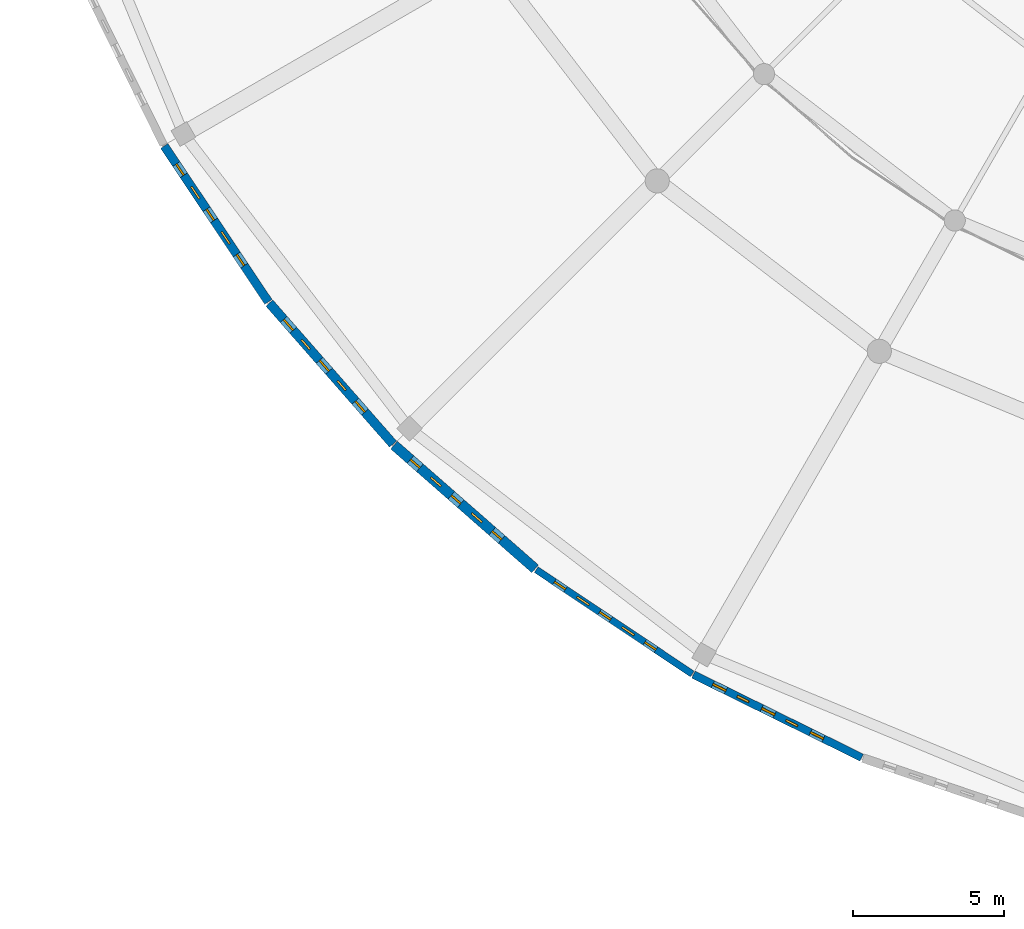
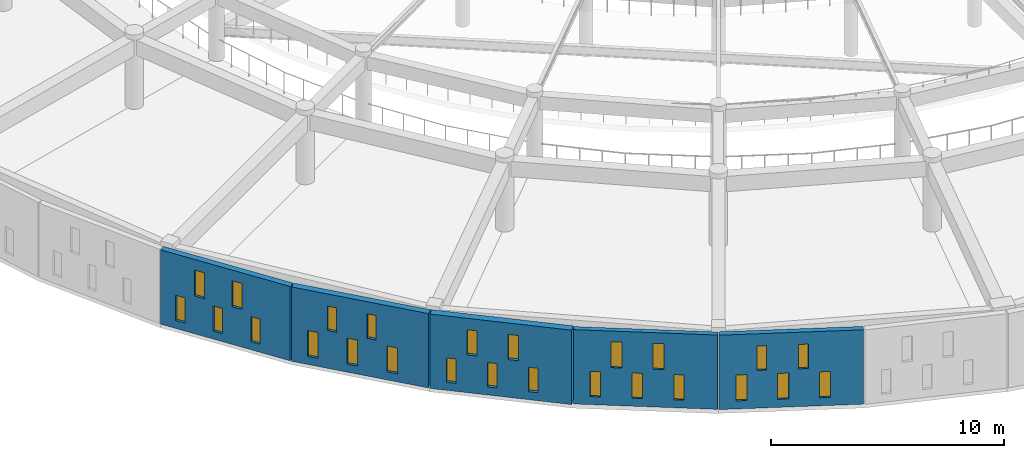
# One storey, part 53 of 98: 25 windows, 5 walls, 25 openings.
"""IFC4 building model written with IfcOpenShell, lengths in metres."""

from ifc_helpers import new_model, si_unit, direction, frame, frame_2d, origin, place, context, subcontext, project, spatial, rectangle, extrude, material, layer, layer_set, type_object, element, fill, save


model = new_model("IFC4")

# Units and contexts
model_context = context("Model", 3, precision=1e-05, world=origin(), true_north=direction((0.0, 1.0)))
body_context = subcontext(model_context, "Body", "Model", "MODEL_VIEW")
ifc_project = project(units=[si_unit("LENGTHUNIT", "METRE"), si_unit("AREAUNIT", "SQUARE_METRE"), si_unit("VOLUMEUNIT", "CUBIC_METRE"), si_unit("PLANEANGLEUNIT", "RADIAN"), si_unit("MASSUNIT", "GRAM", prefix="KILO")], contexts=[model_context])

# Site, building, storey
site_placement = place(None, origin())
site = spatial("IfcSite", under=ifc_project, at=site_placement, CompositionType="ELEMENT")
building_placement = place(site_placement, origin())
building = spatial("IfcBuilding", under=site, at=building_placement, Name="Larkveld Mobility Hub", CompositionType="ELEMENT")
storey_placement = place(building_placement, frame((0.0, 0.0, 4.5)))
storey = spatial("IfcBuildingStorey", under=building, at=storey_placement, Name="L01", CompositionType="ELEMENT", Elevation=4.5)

# Wall, openings, windows
ifc_material_1 = material(Name="Fired clay brick 25 MPa", Category="masonry")
ifc_layer_1 = layer(ifc_material_1, 0.22998046875, Name="Fired clay brick 25 MPa", Category="masonry")
ifc_layer_set_1 = layer_set([ifc_layer_1], Name="Fired clay brick 25 MPa")
wall_type_1 = type_object("IfcWallType", Name="WL-BRK-230", PredefinedType="USERDEFINED", material=ifc_layer_set_1)
wall_1_placement = place(storey_placement, frame((18.89111328125, 10.02490234375, 0.0), z_axis=(0.0, 0.0, 1.0), x_axis=(0.831426871608, -0.555634193664, 0.0)))
wall_1 = element("IfcWall", 1, at=wall_1_placement, inside=storey, type_object=wall_type_1, Name="Drum Woven Open-Bond Brick Chord L01-0076", ObjectType="PERFORATED BRICK SCREEN", PredefinedType="USERDEFINED", context=body_context, shape_type="SweptSolid", body=[
    extrude(rectangle(XDim=6.210693359375, YDim=0.22998046875, at=frame_2d((3.10546875, 0.0))), origin(), (0.0, 0.0, 1.0), 3.89990234375),
])
opening_1_placement = place(wall_1_placement, frame((0.719970703125, 0.0, 0.419921875)))
opening_1 = element("IfcOpeningElement", 2, at=opening_1_placement, cuts=wall_1, Name="Opening W02", PredefinedType="OPENING", context=body_context, shape_type="SweptSolid", body=[
    extrude(rectangle(XDim=0.449951171875, YDim=1.320068359375, at=frame_2d((0.22509765625, 0.66015625))), frame((0.0, 0.125, 0.0), z_axis=(0.0, -1.0, 0.0), x_axis=(1.0, 0.0, 0.0)), (0.0, 0.0, 1.0), 0.25),
])
opening_2_placement = place(wall_1_placement, frame((2.52001953125, 0.0, 0.419921875)))
opening_2 = element("IfcOpeningElement", 3, at=opening_2_placement, cuts=wall_1, Name="Opening W02", PredefinedType="OPENING", context=body_context, shape_type="SweptSolid", body=[
    extrude(rectangle(XDim=0.449951171875, YDim=1.320068359375, at=frame_2d((0.22509765625, 0.66015625))), frame((0.0, 0.125, 0.0), z_axis=(0.0, -1.0, 0.0), x_axis=(1.0, 0.0, 0.0)), (0.0, 0.0, 1.0), 0.25),
])
opening_3_placement = place(wall_1_placement, frame((4.320068359375, 0.0, 0.419921875)))
opening_3 = element("IfcOpeningElement", 4, at=opening_3_placement, cuts=wall_1, Name="Opening W02", PredefinedType="OPENING", context=body_context, shape_type="SweptSolid", body=[
    extrude(rectangle(XDim=0.449951171875, YDim=1.320068359375, at=frame_2d((0.22509765625, 0.66015625))), frame((0.0, 0.125, 0.0), z_axis=(0.0, -1.0, 0.0), x_axis=(1.0, 0.0, 0.0)), (0.0, 0.0, 1.0), 0.25),
])
opening_4_placement = place(wall_1_placement, frame((1.6201171875, 0.0, 1.97998046875)))
opening_4 = element("IfcOpeningElement", 5, at=opening_4_placement, cuts=wall_1, Name="Opening W03", PredefinedType="OPENING", context=body_context, shape_type="SweptSolid", body=[
    extrude(rectangle(XDim=0.47998046875, YDim=1.360107421875, at=frame_2d((0.239990234375, 0.68017578125))), frame((0.0, 0.125, 0.0), z_axis=(0.0, -1.0, 0.0), x_axis=(1.0, 0.0, 0.0)), (0.0, 0.0, 1.0), 0.25),
])
opening_5_placement = place(wall_1_placement, frame((3.419921875, 0.0, 1.97998046875)))
opening_5 = element("IfcOpeningElement", 6, at=opening_5_placement, cuts=wall_1, Name="Opening W03", PredefinedType="OPENING", context=body_context, shape_type="SweptSolid", body=[
    extrude(rectangle(XDim=0.47998046875, YDim=1.360107421875, at=frame_2d((0.239990234375, 0.68017578125))), frame((0.0, 0.125, 0.0), z_axis=(0.0, -1.0, 0.0), x_axis=(1.0, 0.0, 0.0)), (0.0, 0.0, 1.0), 0.25),
])
ifc_material_2 = material(Name="Extruded aluminium ventilation grille", Category="aluminium")
window_type_1 = type_object("IfcWindowType", Name="WN-VENT-02", PartitioningType="SINGLE_PANEL", PredefinedType="WINDOW", material=ifc_material_2)
window_1_placement = place(opening_1_placement, origin())
window_1 = element("IfcWindow", 7, at=window_1_placement, inside=storey, type_object=window_type_1, Name="Window W02 (0366)", OverallHeight=1.320068359375, OverallWidth=0.449951171875, PartitioningType="SINGLE_PANEL", PredefinedType="WINDOW", context=body_context, shape_type="SweptSolid", body=[
    extrude(rectangle(XDim=0.449951171875, YDim=1.320068359375, at=frame_2d((0.22509765625, 0.66015625))), frame((0.0, 0.030029296875, 0.0), z_axis=(0.0, -1.0, 0.0), x_axis=(1.0, 0.0, 0.0)), (0.0, 0.0, 1.0), 0.06005859375),
])
fill(opening_1, window_1)
window_2_placement = place(opening_2_placement, origin())
window_2 = element("IfcWindow", 8, at=window_2_placement, inside=storey, type_object=window_type_1, Name="Window W02 (0367)", OverallHeight=1.320068359375, OverallWidth=0.449951171875, PartitioningType="SINGLE_PANEL", PredefinedType="WINDOW", context=body_context, shape_type="SweptSolid", body=[
    extrude(rectangle(XDim=0.449951171875, YDim=1.320068359375, at=frame_2d((0.22509765625, 0.66015625))), frame((0.0, 0.030029296875, 0.0), z_axis=(0.0, -1.0, 0.0), x_axis=(1.0, 0.0, 0.0)), (0.0, 0.0, 1.0), 0.06005859375),
])
fill(opening_2, window_2)
window_3_placement = place(opening_3_placement, origin())
window_3 = element("IfcWindow", 9, at=window_3_placement, inside=storey, type_object=window_type_1, Name="Window W02 (0368)", OverallHeight=1.320068359375, OverallWidth=0.449951171875, PartitioningType="SINGLE_PANEL", PredefinedType="WINDOW", context=body_context, shape_type="SweptSolid", body=[
    extrude(rectangle(XDim=0.449951171875, YDim=1.320068359375, at=frame_2d((0.22509765625, 0.66015625))), frame((0.0, 0.030029296875, 0.0), z_axis=(0.0, -1.0, 0.0), x_axis=(1.0, 0.0, 0.0)), (0.0, 0.0, 1.0), 0.06005859375),
])
fill(opening_3, window_3)
window_type_2 = type_object("IfcWindowType", Name="WN-VENT-03", PartitioningType="SINGLE_PANEL", PredefinedType="WINDOW", material=ifc_material_2)
window_4_placement = place(opening_4_placement, origin())
window_4 = element("IfcWindow", 10, at=window_4_placement, inside=storey, type_object=window_type_2, Name="Window W03 (0369)", OverallHeight=1.360107421875, OverallWidth=0.47998046875, PartitioningType="SINGLE_PANEL", PredefinedType="WINDOW", context=body_context, shape_type="SweptSolid", body=[
    extrude(rectangle(XDim=0.47998046875, YDim=1.360107421875, at=frame_2d((0.239990234375, 0.68017578125))), frame((0.0, 0.030029296875, 0.0), z_axis=(0.0, -1.0, 0.0), x_axis=(1.0, 0.0, 0.0)), (0.0, 0.0, 1.0), 0.06005859375),
])
fill(opening_4, window_4)
window_5_placement = place(opening_5_placement, origin())
window_5 = element("IfcWindow", 11, at=window_5_placement, inside=storey, type_object=window_type_2, Name="Window W03 (0370)", OverallHeight=1.360107421875, OverallWidth=0.47998046875, PartitioningType="SINGLE_PANEL", PredefinedType="WINDOW", context=body_context, shape_type="SweptSolid", body=[
    extrude(rectangle(XDim=0.47998046875, YDim=1.360107421875, at=frame_2d((0.239990234375, 0.68017578125))), frame((0.0, 0.030029296875, 0.0), z_axis=(0.0, -1.0, 0.0), x_axis=(1.0, 0.0, 0.0)), (0.0, 0.0, 1.0), 0.06005859375),
])
fill(opening_5, window_5)

ifc_layer_2 = layer(ifc_material_1, 0.260009765625, Name="Fired clay brick 25 MPa", Category="masonry")
ifc_layer_set_2 = layer_set([ifc_layer_2], Name="Fired clay brick 25 MPa")
wall_type_2 = type_object("IfcWallType", Name="WL-BRK-260", PredefinedType="USERDEFINED", material=ifc_layer_set_2)
wall_2_placement = place(storey_placement, frame((24.096923828125, 6.550048828125, 0.0), z_axis=(0.0, 0.0, 1.0), x_axis=(0.896858908126, -0.442316740488, 0.0)))
wall_2 = element("IfcWall", 12, at=wall_2_placement, inside=storey, type_object=wall_type_2, Name="Drum Woven Open-Bond Brick Chord L01-0077", ObjectType="PERFORATED BRICK SCREEN", PredefinedType="USERDEFINED", context=body_context, shape_type="SweptSolid", body=[
    extrude(rectangle(XDim=6.210693359375, YDim=0.260009765625, at=frame_2d((3.10546875, 0.0))), origin(), (0.0, 0.0, 1.0), 3.89990234375),
])
opening_6_placement = place(wall_2_placement, frame((0.719970703125, 0.0, 0.419921875)))
opening_6 = element("IfcOpeningElement", 13, at=opening_6_placement, cuts=wall_2, Name="Opening W03", PredefinedType="OPENING", context=body_context, shape_type="SweptSolid", body=[
    extrude(rectangle(XDim=0.47998046875, YDim=1.360107421875, at=frame_2d((0.239990234375, 0.68017578125))), frame((0.0, 0.14013671875, 0.0), z_axis=(0.0, -1.0, 0.0), x_axis=(1.0, 0.0, 0.0)), (0.0, 0.0, 1.0), 0.280029296875),
])
opening_7_placement = place(wall_2_placement, frame((2.52001953125, 0.0, 0.419921875)))
opening_7 = element("IfcOpeningElement", 14, at=opening_7_placement, cuts=wall_2, Name="Opening W03", PredefinedType="OPENING", context=body_context, shape_type="SweptSolid", body=[
    extrude(rectangle(XDim=0.47998046875, YDim=1.360107421875, at=frame_2d((0.239990234375, 0.68017578125))), frame((0.0, 0.14013671875, 0.0), z_axis=(0.0, -1.0, 0.0), x_axis=(1.0, 0.0, 0.0)), (0.0, 0.0, 1.0), 0.280029296875),
])
opening_8_placement = place(wall_2_placement, frame((4.320068359375, 0.0, 0.419921875)))
opening_8 = element("IfcOpeningElement", 15, at=opening_8_placement, cuts=wall_2, Name="Opening W03", PredefinedType="OPENING", context=body_context, shape_type="SweptSolid", body=[
    extrude(rectangle(XDim=0.47998046875, YDim=1.360107421875, at=frame_2d((0.239990234375, 0.68017578125))), frame((0.0, 0.14013671875, 0.0), z_axis=(0.0, -1.0, 0.0), x_axis=(1.0, 0.0, 0.0)), (0.0, 0.0, 1.0), 0.280029296875),
])
opening_9_placement = place(wall_2_placement, frame((1.6201171875, 0.0, 1.97998046875)))
opening_9 = element("IfcOpeningElement", 16, at=opening_9_placement, cuts=wall_2, Name="Opening W01", PredefinedType="OPENING", context=body_context, shape_type="SweptSolid", body=[
    extrude(rectangle(XDim=0.419921875, YDim=1.280029296875, at=frame_2d((0.2099609375, 0.64013671875))), frame((0.0, 0.14013671875, 0.0), z_axis=(0.0, -1.0, 0.0), x_axis=(1.0, 0.0, 0.0)), (0.0, 0.0, 1.0), 0.280029296875),
])
opening_10_placement = place(wall_2_placement, frame((3.419921875, 0.0, 1.97998046875)))
opening_10 = element("IfcOpeningElement", 17, at=opening_10_placement, cuts=wall_2, Name="Opening W01", PredefinedType="OPENING", context=body_context, shape_type="SweptSolid", body=[
    extrude(rectangle(XDim=0.419921875, YDim=1.280029296875, at=frame_2d((0.2099609375, 0.64013671875))), frame((0.0, 0.14013671875, 0.0), z_axis=(0.0, -1.0, 0.0), x_axis=(1.0, 0.0, 0.0)), (0.0, 0.0, 1.0), 0.280029296875),
])
window_type_3 = type_object("IfcWindowType", Name="WN-VENT-01", PartitioningType="SINGLE_PANEL", PredefinedType="WINDOW", material=ifc_material_2)
window_6_placement = place(opening_9_placement, origin())
window_6 = element("IfcWindow", 18, at=window_6_placement, inside=storey, type_object=window_type_3, Name="Window W01 (0374)", OverallHeight=1.280029296875, OverallWidth=0.419921875, PartitioningType="SINGLE_PANEL", PredefinedType="WINDOW", context=body_context, shape_type="SweptSolid", body=[
    extrude(rectangle(XDim=0.419921875, YDim=1.280029296875, at=frame_2d((0.2099609375, 0.64013671875))), frame((0.0, 0.030029296875, 0.0), z_axis=(0.0, -1.0, 0.0), x_axis=(1.0, 0.0, 0.0)), (0.0, 0.0, 1.0), 0.06005859375),
])
fill(opening_9, window_6)
window_7_placement = place(opening_10_placement, origin())
window_7 = element("IfcWindow", 19, at=window_7_placement, inside=storey, type_object=window_type_3, Name="Window W01 (0375)", OverallHeight=1.280029296875, OverallWidth=0.419921875, PartitioningType="SINGLE_PANEL", PredefinedType="WINDOW", context=body_context, shape_type="SweptSolid", body=[
    extrude(rectangle(XDim=0.419921875, YDim=1.280029296875, at=frame_2d((0.2099609375, 0.64013671875))), frame((0.0, 0.030029296875, 0.0), z_axis=(0.0, -1.0, 0.0), x_axis=(1.0, 0.0, 0.0)), (0.0, 0.0, 1.0), 0.06005859375),
])
fill(opening_10, window_7)
window_8_placement = place(opening_6_placement, origin())
window_8 = element("IfcWindow", 20, at=window_8_placement, inside=storey, type_object=window_type_2, Name="Window W03 (0371)", OverallHeight=1.360107421875, OverallWidth=0.47998046875, PartitioningType="SINGLE_PANEL", PredefinedType="WINDOW", context=body_context, shape_type="SweptSolid", body=[
    extrude(rectangle(XDim=0.47998046875, YDim=1.360107421875, at=frame_2d((0.239990234375, 0.68017578125))), frame((0.0, 0.030029296875, 0.0), z_axis=(0.0, -1.0, 0.0), x_axis=(1.0, 0.0, 0.0)), (0.0, 0.0, 1.0), 0.06005859375),
])
fill(opening_6, window_8)
window_9_placement = place(opening_7_placement, origin())
window_9 = element("IfcWindow", 21, at=window_9_placement, inside=storey, type_object=window_type_2, Name="Window W03 (0372)", OverallHeight=1.360107421875, OverallWidth=0.47998046875, PartitioningType="SINGLE_PANEL", PredefinedType="WINDOW", context=body_context, shape_type="SweptSolid", body=[
    extrude(rectangle(XDim=0.47998046875, YDim=1.360107421875, at=frame_2d((0.239990234375, 0.68017578125))), frame((0.0, 0.030029296875, 0.0), z_axis=(0.0, -1.0, 0.0), x_axis=(1.0, 0.0, 0.0)), (0.0, 0.0, 1.0), 0.06005859375),
])
fill(opening_7, window_9)
window_10_placement = place(opening_8_placement, origin())
window_10 = element("IfcWindow", 22, at=window_10_placement, inside=storey, type_object=window_type_2, Name="Window W03 (0373)", OverallHeight=1.360107421875, OverallWidth=0.47998046875, PartitioningType="SINGLE_PANEL", PredefinedType="WINDOW", context=body_context, shape_type="SweptSolid", body=[
    extrude(rectangle(XDim=0.47998046875, YDim=1.360107421875, at=frame_2d((0.239990234375, 0.68017578125))), frame((0.0, 0.030029296875, 0.0), z_axis=(0.0, -1.0, 0.0), x_axis=(1.0, 0.0, 0.0)), (0.0, 0.0, 1.0), 0.06005859375),
])
fill(opening_8, window_10)

ifc_layer_3 = layer(ifc_material_1, 0.2900390625, Name="Fired clay brick 25 MPa", Category="masonry")
ifc_layer_set_3 = layer_set([ifc_layer_3], Name="Fired clay brick 25 MPa")
wall_type_3 = type_object("IfcWallType", Name="WL-BRK-290", PredefinedType="USERDEFINED", material=ifc_layer_set_3)
wall_3_placement = place(storey_placement, frame((6.573974609375, 24.054931640625, 0.0), z_axis=(0.0, 0.0, 1.0), x_axis=(0.555634193664, -0.831426871608, 0.0)))
wall_3 = element("IfcWall", 23, at=wall_3_placement, inside=storey, type_object=wall_type_3, Name="Drum Woven Open-Bond Brick Chord L01-0073", ObjectType="PERFORATED BRICK SCREEN", PredefinedType="USERDEFINED", context=body_context, shape_type="SweptSolid", body=[
    extrude(rectangle(XDim=6.210693359375, YDim=0.2900390625, at=frame_2d((3.10546875, 0.0))), origin(), (0.0, 0.0, 1.0), 3.89990234375),
])
opening_11_placement = place(wall_3_placement, frame((0.719970703125, 0.0, 0.419921875)))
opening_11 = element("IfcOpeningElement", 24, at=opening_11_placement, cuts=wall_3, Name="Opening W02", PredefinedType="OPENING", context=body_context, shape_type="SweptSolid", body=[
    extrude(rectangle(XDim=0.449951171875, YDim=1.320068359375, at=frame_2d((0.22509765625, 0.66015625))), frame((0.0, 0.155029296875, 0.0), z_axis=(0.0, -1.0, 0.0), x_axis=(1.0, 0.0, 0.0)), (0.0, 0.0, 1.0), 0.31005859375),
])
opening_12_placement = place(wall_3_placement, frame((2.52001953125, 0.0, 0.419921875)))
opening_12 = element("IfcOpeningElement", 25, at=opening_12_placement, cuts=wall_3, Name="Opening W02", PredefinedType="OPENING", context=body_context, shape_type="SweptSolid", body=[
    extrude(rectangle(XDim=0.449951171875, YDim=1.320068359375, at=frame_2d((0.22509765625, 0.66015625))), frame((0.0, 0.155029296875, 0.0), z_axis=(0.0, -1.0, 0.0), x_axis=(1.0, 0.0, 0.0)), (0.0, 0.0, 1.0), 0.31005859375),
])
opening_13_placement = place(wall_3_placement, frame((4.320068359375, 0.0, 0.419921875)))
opening_13 = element("IfcOpeningElement", 26, at=opening_13_placement, cuts=wall_3, Name="Opening W02", PredefinedType="OPENING", context=body_context, shape_type="SweptSolid", body=[
    extrude(rectangle(XDim=0.449951171875, YDim=1.320068359375, at=frame_2d((0.22509765625, 0.66015625))), frame((0.0, 0.155029296875, 0.0), z_axis=(0.0, -1.0, 0.0), x_axis=(1.0, 0.0, 0.0)), (0.0, 0.0, 1.0), 0.31005859375),
])
opening_14_placement = place(wall_3_placement, frame((1.6201171875, 0.0, 1.97998046875)))
opening_14 = element("IfcOpeningElement", 27, at=opening_14_placement, cuts=wall_3, Name="Opening W03", PredefinedType="OPENING", context=body_context, shape_type="SweptSolid", body=[
    extrude(rectangle(XDim=0.47998046875, YDim=1.360107421875, at=frame_2d((0.239990234375, 0.68017578125))), frame((0.0, 0.155029296875, 0.0), z_axis=(0.0, -1.0, 0.0), x_axis=(1.0, 0.0, 0.0)), (0.0, 0.0, 1.0), 0.31005859375),
])
opening_15_placement = place(wall_3_placement, frame((3.419921875, 0.0, 1.97998046875)))
opening_15 = element("IfcOpeningElement", 28, at=opening_15_placement, cuts=wall_3, Name="Opening W03", PredefinedType="OPENING", context=body_context, shape_type="SweptSolid", body=[
    extrude(rectangle(XDim=0.47998046875, YDim=1.360107421875, at=frame_2d((0.239990234375, 0.68017578125))), frame((0.0, 0.155029296875, 0.0), z_axis=(0.0, -1.0, 0.0), x_axis=(1.0, 0.0, 0.0)), (0.0, 0.0, 1.0), 0.31005859375),
])
window_11_placement = place(opening_11_placement, origin())
window_11 = element("IfcWindow", 29, at=window_11_placement, inside=storey, type_object=window_type_1, Name="Window W02 (0351)", OverallHeight=1.320068359375, OverallWidth=0.449951171875, PartitioningType="SINGLE_PANEL", PredefinedType="WINDOW", context=body_context, shape_type="SweptSolid", body=[
    extrude(rectangle(XDim=0.449951171875, YDim=1.320068359375, at=frame_2d((0.22509765625, 0.66015625))), frame((0.0, 0.030029296875, 0.0), z_axis=(0.0, -1.0, 0.0), x_axis=(1.0, 0.0, 0.0)), (0.0, 0.0, 1.0), 0.06005859375),
])
fill(opening_11, window_11)
window_12_placement = place(opening_12_placement, origin())
window_12 = element("IfcWindow", 30, at=window_12_placement, inside=storey, type_object=window_type_1, Name="Window W02 (0352)", OverallHeight=1.320068359375, OverallWidth=0.449951171875, PartitioningType="SINGLE_PANEL", PredefinedType="WINDOW", context=body_context, shape_type="SweptSolid", body=[
    extrude(rectangle(XDim=0.449951171875, YDim=1.320068359375, at=frame_2d((0.22509765625, 0.66015625))), frame((0.0, 0.030029296875, 0.0), z_axis=(0.0, -1.0, 0.0), x_axis=(1.0, 0.0, 0.0)), (0.0, 0.0, 1.0), 0.06005859375),
])
fill(opening_12, window_12)
window_13_placement = place(opening_13_placement, origin())
window_13 = element("IfcWindow", 31, at=window_13_placement, inside=storey, type_object=window_type_1, Name="Window W02 (0353)", OverallHeight=1.320068359375, OverallWidth=0.449951171875, PartitioningType="SINGLE_PANEL", PredefinedType="WINDOW", context=body_context, shape_type="SweptSolid", body=[
    extrude(rectangle(XDim=0.449951171875, YDim=1.320068359375, at=frame_2d((0.22509765625, 0.66015625))), frame((0.0, 0.030029296875, 0.0), z_axis=(0.0, -1.0, 0.0), x_axis=(1.0, 0.0, 0.0)), (0.0, 0.0, 1.0), 0.06005859375),
])
fill(opening_13, window_13)
window_14_placement = place(opening_14_placement, origin())
window_14 = element("IfcWindow", 32, at=window_14_placement, inside=storey, type_object=window_type_2, Name="Window W03 (0354)", OverallHeight=1.360107421875, OverallWidth=0.47998046875, PartitioningType="SINGLE_PANEL", PredefinedType="WINDOW", context=body_context, shape_type="SweptSolid", body=[
    extrude(rectangle(XDim=0.47998046875, YDim=1.360107421875, at=frame_2d((0.239990234375, 0.68017578125))), frame((0.0, 0.030029296875, 0.0), z_axis=(0.0, -1.0, 0.0), x_axis=(1.0, 0.0, 0.0)), (0.0, 0.0, 1.0), 0.06005859375),
])
fill(opening_14, window_14)
window_15_placement = place(opening_15_placement, origin())
window_15 = element("IfcWindow", 33, at=window_15_placement, inside=storey, type_object=window_type_2, Name="Window W03 (0355)", OverallHeight=1.360107421875, OverallWidth=0.47998046875, PartitioningType="SINGLE_PANEL", PredefinedType="WINDOW", context=body_context, shape_type="SweptSolid", body=[
    extrude(rectangle(XDim=0.47998046875, YDim=1.360107421875, at=frame_2d((0.239990234375, 0.68017578125))), frame((0.0, 0.030029296875, 0.0), z_axis=(0.0, -1.0, 0.0), x_axis=(1.0, 0.0, 0.0)), (0.0, 0.0, 1.0), 0.06005859375),
])
fill(opening_15, window_15)

ifc_layer_4 = layer(ifc_material_1, 0.31005859375, Name="Fired clay brick 25 MPa", Category="masonry")
ifc_layer_set_4 = layer_set([ifc_layer_4], Name="Fired clay brick 25 MPa")
wall_type_4 = type_object("IfcWallType", Name="WL-BRK-310", PredefinedType="USERDEFINED", material=ifc_layer_set_4)
wall_4_placement = place(storey_placement, frame((10.053955078125, 18.85302734375, 0.0), z_axis=(0.0, 0.0, 1.0), x_axis=(0.65930569124, -0.751874993266, 0.0)))
wall_4 = element("IfcWall", 34, at=wall_4_placement, inside=storey, type_object=wall_type_4, Name="Drum Woven Open-Bond Brick Chord L01-0074", ObjectType="PERFORATED BRICK SCREEN", PredefinedType="USERDEFINED", context=body_context, shape_type="SweptSolid", body=[
    extrude(rectangle(XDim=6.2109375, YDim=0.31005859375, at=frame_2d((3.10546875, 0.0))), origin(), (0.0, 0.0, 1.0), 3.89990234375),
])
opening_16_placement = place(wall_4_placement, frame((0.719970703125, 0.0, 0.419921875)))
opening_16 = element("IfcOpeningElement", 35, at=opening_16_placement, cuts=wall_4, Name="Opening W03", PredefinedType="OPENING", context=body_context, shape_type="SweptSolid", body=[
    extrude(rectangle(XDim=0.47998046875, YDim=1.360107421875, at=frame_2d((0.239990234375, 0.68017578125))), frame((0.0, 0.1650390625, 0.0), z_axis=(0.0, -1.0, 0.0), x_axis=(1.0, 0.0, 0.0)), (0.0, 0.0, 1.0), 0.330078125),
])
opening_17_placement = place(wall_4_placement, frame((2.52001953125, 0.0, 0.419921875)))
opening_17 = element("IfcOpeningElement", 36, at=opening_17_placement, cuts=wall_4, Name="Opening W03", PredefinedType="OPENING", context=body_context, shape_type="SweptSolid", body=[
    extrude(rectangle(XDim=0.47998046875, YDim=1.360107421875, at=frame_2d((0.239990234375, 0.68017578125))), frame((0.0, 0.1650390625, 0.0), z_axis=(0.0, -1.0, 0.0), x_axis=(1.0, 0.0, 0.0)), (0.0, 0.0, 1.0), 0.330078125),
])
opening_18_placement = place(wall_4_placement, frame((4.320068359375, 0.0, 0.419921875)))
opening_18 = element("IfcOpeningElement", 37, at=opening_18_placement, cuts=wall_4, Name="Opening W03", PredefinedType="OPENING", context=body_context, shape_type="SweptSolid", body=[
    extrude(rectangle(XDim=0.47998046875, YDim=1.360107421875, at=frame_2d((0.239990234375, 0.68017578125))), frame((0.0, 0.1650390625, 0.0), z_axis=(0.0, -1.0, 0.0), x_axis=(1.0, 0.0, 0.0)), (0.0, 0.0, 1.0), 0.330078125),
])
opening_19_placement = place(wall_4_placement, frame((1.6201171875, 0.0, 1.97998046875)))
opening_19 = element("IfcOpeningElement", 38, at=opening_19_placement, cuts=wall_4, Name="Opening W01", PredefinedType="OPENING", context=body_context, shape_type="SweptSolid", body=[
    extrude(rectangle(XDim=0.419921875, YDim=1.280029296875, at=frame_2d((0.2099609375, 0.64013671875))), frame((0.0, 0.1650390625, 0.0), z_axis=(0.0, -1.0, 0.0), x_axis=(1.0, 0.0, 0.0)), (0.0, 0.0, 1.0), 0.330078125),
])
opening_20_placement = place(wall_4_placement, frame((3.419921875, 0.0, 1.97998046875)))
opening_20 = element("IfcOpeningElement", 39, at=opening_20_placement, cuts=wall_4, Name="Opening W01", PredefinedType="OPENING", context=body_context, shape_type="SweptSolid", body=[
    extrude(rectangle(XDim=0.419921875, YDim=1.280029296875, at=frame_2d((0.2099609375, 0.64013671875))), frame((0.0, 0.1650390625, 0.0), z_axis=(0.0, -1.0, 0.0), x_axis=(1.0, 0.0, 0.0)), (0.0, 0.0, 1.0), 0.330078125),
])
window_16_placement = place(opening_19_placement, origin())
window_16 = element("IfcWindow", 40, at=window_16_placement, inside=storey, type_object=window_type_3, Name="Window W01 (0359)", OverallHeight=1.280029296875, OverallWidth=0.419921875, PartitioningType="SINGLE_PANEL", PredefinedType="WINDOW", context=body_context, shape_type="SweptSolid", body=[
    extrude(rectangle(XDim=0.419921875, YDim=1.280029296875, at=frame_2d((0.2099609375, 0.64013671875))), frame((0.0, 0.030029296875, 0.0), z_axis=(0.0, -1.0, 0.0), x_axis=(1.0, 0.0, 0.0)), (0.0, 0.0, 1.0), 0.06005859375),
])
fill(opening_19, window_16)
window_17_placement = place(opening_20_placement, origin())
window_17 = element("IfcWindow", 41, at=window_17_placement, inside=storey, type_object=window_type_3, Name="Window W01 (0360)", OverallHeight=1.280029296875, OverallWidth=0.419921875, PartitioningType="SINGLE_PANEL", PredefinedType="WINDOW", context=body_context, shape_type="SweptSolid", body=[
    extrude(rectangle(XDim=0.419921875, YDim=1.280029296875, at=frame_2d((0.2099609375, 0.64013671875))), frame((0.0, 0.030029296875, 0.0), z_axis=(0.0, -1.0, 0.0), x_axis=(1.0, 0.0, 0.0)), (0.0, 0.0, 1.0), 0.06005859375),
])
fill(opening_20, window_17)
window_18_placement = place(opening_16_placement, origin())
window_18 = element("IfcWindow", 42, at=window_18_placement, inside=storey, type_object=window_type_2, Name="Window W03 (0356)", OverallHeight=1.360107421875, OverallWidth=0.47998046875, PartitioningType="SINGLE_PANEL", PredefinedType="WINDOW", context=body_context, shape_type="SweptSolid", body=[
    extrude(rectangle(XDim=0.47998046875, YDim=1.360107421875, at=frame_2d((0.239990234375, 0.68017578125))), frame((0.0, 0.030029296875, 0.0), z_axis=(0.0, -1.0, 0.0), x_axis=(1.0, 0.0, 0.0)), (0.0, 0.0, 1.0), 0.06005859375),
])
fill(opening_16, window_18)
window_19_placement = place(opening_17_placement, origin())
window_19 = element("IfcWindow", 43, at=window_19_placement, inside=storey, type_object=window_type_2, Name="Window W03 (0357)", OverallHeight=1.360107421875, OverallWidth=0.47998046875, PartitioningType="SINGLE_PANEL", PredefinedType="WINDOW", context=body_context, shape_type="SweptSolid", body=[
    extrude(rectangle(XDim=0.47998046875, YDim=1.360107421875, at=frame_2d((0.239990234375, 0.68017578125))), frame((0.0, 0.030029296875, 0.0), z_axis=(0.0, -1.0, 0.0), x_axis=(1.0, 0.0, 0.0)), (0.0, 0.0, 1.0), 0.06005859375),
])
fill(opening_17, window_19)
window_20_placement = place(opening_18_placement, origin())
window_20 = element("IfcWindow", 44, at=window_20_placement, inside=storey, type_object=window_type_2, Name="Window W03 (0358)", OverallHeight=1.360107421875, OverallWidth=0.47998046875, PartitioningType="SINGLE_PANEL", PredefinedType="WINDOW", context=body_context, shape_type="SweptSolid", body=[
    extrude(rectangle(XDim=0.47998046875, YDim=1.360107421875, at=frame_2d((0.239990234375, 0.68017578125))), frame((0.0, 0.030029296875, 0.0), z_axis=(0.0, -1.0, 0.0), x_axis=(1.0, 0.0, 0.0)), (0.0, 0.0, 1.0), 0.06005859375),
])
fill(opening_18, window_20)

ifc_layer_5 = layer(ifc_material_1, 0.340087890625, Name="Fired clay brick 25 MPa", Category="masonry")
ifc_layer_set_5 = layer_set([ifc_layer_5], Name="Fired clay brick 25 MPa")
wall_type_5 = type_object("IfcWallType", Name="WL-BRK-340", PredefinedType="USERDEFINED", material=ifc_layer_set_5)
wall_5_placement = place(storey_placement, frame((14.18310546875, 14.14892578125, 0.0), z_axis=(0.0, 0.0, 1.0), x_axis=(0.751874993266, -0.65930569124, 0.0)))
wall_5 = element("IfcWall", 45, at=wall_5_placement, inside=storey, type_object=wall_type_5, Name="Drum Woven Open-Bond Brick Chord L01-0075", ObjectType="PERFORATED BRICK SCREEN", PredefinedType="USERDEFINED", context=body_context, shape_type="SweptSolid", body=[
    extrude(rectangle(XDim=6.2109375, YDim=0.340087890625, at=frame_2d((3.10546875, 0.0))), origin(), (0.0, 0.0, 1.0), 3.89990234375),
])
opening_21_placement = place(wall_5_placement, frame((0.719970703125, 0.0, 0.419921875)))
opening_21 = element("IfcOpeningElement", 46, at=opening_21_placement, cuts=wall_5, Name="Opening W01", PredefinedType="OPENING", context=body_context, shape_type="SweptSolid", body=[
    extrude(rectangle(XDim=0.419921875, YDim=1.280029296875, at=frame_2d((0.2099609375, 0.64013671875))), frame((0.0, 0.18017578125, 0.0), z_axis=(0.0, -1.0, 0.0), x_axis=(1.0, 0.0, 0.0)), (0.0, 0.0, 1.0), 0.360107421875),
])
opening_22_placement = place(wall_5_placement, frame((2.52001953125, 0.0, 0.419921875)))
opening_22 = element("IfcOpeningElement", 47, at=opening_22_placement, cuts=wall_5, Name="Opening W01", PredefinedType="OPENING", context=body_context, shape_type="SweptSolid", body=[
    extrude(rectangle(XDim=0.419921875, YDim=1.280029296875, at=frame_2d((0.2099609375, 0.64013671875))), frame((0.0, 0.18017578125, 0.0), z_axis=(0.0, -1.0, 0.0), x_axis=(1.0, 0.0, 0.0)), (0.0, 0.0, 1.0), 0.360107421875),
])
opening_23_placement = place(wall_5_placement, frame((4.320068359375, 0.0, 0.419921875)))
opening_23 = element("IfcOpeningElement", 48, at=opening_23_placement, cuts=wall_5, Name="Opening W01", PredefinedType="OPENING", context=body_context, shape_type="SweptSolid", body=[
    extrude(rectangle(XDim=0.419921875, YDim=1.280029296875, at=frame_2d((0.2099609375, 0.64013671875))), frame((0.0, 0.18017578125, 0.0), z_axis=(0.0, -1.0, 0.0), x_axis=(1.0, 0.0, 0.0)), (0.0, 0.0, 1.0), 0.360107421875),
])
opening_24_placement = place(wall_5_placement, frame((1.6201171875, 0.0, 1.97998046875)))
opening_24 = element("IfcOpeningElement", 49, at=opening_24_placement, cuts=wall_5, Name="Opening W02", PredefinedType="OPENING", context=body_context, shape_type="SweptSolid", body=[
    extrude(rectangle(XDim=0.449951171875, YDim=1.320068359375, at=frame_2d((0.22509765625, 0.66015625))), frame((0.0, 0.18017578125, 0.0), z_axis=(0.0, -1.0, 0.0), x_axis=(1.0, 0.0, 0.0)), (0.0, 0.0, 1.0), 0.360107421875),
])
opening_25_placement = place(wall_5_placement, frame((3.419921875, 0.0, 1.97998046875)))
opening_25 = element("IfcOpeningElement", 50, at=opening_25_placement, cuts=wall_5, Name="Opening W02", PredefinedType="OPENING", context=body_context, shape_type="SweptSolid", body=[
    extrude(rectangle(XDim=0.449951171875, YDim=1.320068359375, at=frame_2d((0.22509765625, 0.66015625))), frame((0.0, 0.18017578125, 0.0), z_axis=(0.0, -1.0, 0.0), x_axis=(1.0, 0.0, 0.0)), (0.0, 0.0, 1.0), 0.360107421875),
])
window_21_placement = place(opening_21_placement, origin())
window_21 = element("IfcWindow", 51, at=window_21_placement, inside=storey, type_object=window_type_3, Name="Window W01 (0361)", OverallHeight=1.280029296875, OverallWidth=0.419921875, PartitioningType="SINGLE_PANEL", PredefinedType="WINDOW", context=body_context, shape_type="SweptSolid", body=[
    extrude(rectangle(XDim=0.419921875, YDim=1.280029296875, at=frame_2d((0.2099609375, 0.64013671875))), frame((0.0, 0.030029296875, 0.0), z_axis=(0.0, -1.0, 0.0), x_axis=(1.0, 0.0, 0.0)), (0.0, 0.0, 1.0), 0.06005859375),
])
fill(opening_21, window_21)
window_22_placement = place(opening_22_placement, origin())
window_22 = element("IfcWindow", 52, at=window_22_placement, inside=storey, type_object=window_type_3, Name="Window W01 (0362)", OverallHeight=1.280029296875, OverallWidth=0.419921875, PartitioningType="SINGLE_PANEL", PredefinedType="WINDOW", context=body_context, shape_type="SweptSolid", body=[
    extrude(rectangle(XDim=0.419921875, YDim=1.280029296875, at=frame_2d((0.2099609375, 0.64013671875))), frame((0.0, 0.030029296875, 0.0), z_axis=(0.0, -1.0, 0.0), x_axis=(1.0, 0.0, 0.0)), (0.0, 0.0, 1.0), 0.06005859375),
])
fill(opening_22, window_22)
window_23_placement = place(opening_23_placement, origin())
window_23 = element("IfcWindow", 53, at=window_23_placement, inside=storey, type_object=window_type_3, Name="Window W01 (0363)", OverallHeight=1.280029296875, OverallWidth=0.419921875, PartitioningType="SINGLE_PANEL", PredefinedType="WINDOW", context=body_context, shape_type="SweptSolid", body=[
    extrude(rectangle(XDim=0.419921875, YDim=1.280029296875, at=frame_2d((0.2099609375, 0.64013671875))), frame((0.0, 0.030029296875, 0.0), z_axis=(0.0, -1.0, 0.0), x_axis=(1.0, 0.0, 0.0)), (0.0, 0.0, 1.0), 0.06005859375),
])
fill(opening_23, window_23)
window_24_placement = place(opening_24_placement, origin())
window_24 = element("IfcWindow", 54, at=window_24_placement, inside=storey, type_object=window_type_1, Name="Window W02 (0364)", OverallHeight=1.320068359375, OverallWidth=0.449951171875, PartitioningType="SINGLE_PANEL", PredefinedType="WINDOW", context=body_context, shape_type="SweptSolid", body=[
    extrude(rectangle(XDim=0.449951171875, YDim=1.320068359375, at=frame_2d((0.22509765625, 0.66015625))), frame((0.0, 0.030029296875, 0.0), z_axis=(0.0, -1.0, 0.0), x_axis=(1.0, 0.0, 0.0)), (0.0, 0.0, 1.0), 0.06005859375),
])
fill(opening_24, window_24)
window_25_placement = place(opening_25_placement, origin())
window_25 = element("IfcWindow", 55, at=window_25_placement, inside=storey, type_object=window_type_1, Name="Window W02 (0365)", OverallHeight=1.320068359375, OverallWidth=0.449951171875, PartitioningType="SINGLE_PANEL", PredefinedType="WINDOW", context=body_context, shape_type="SweptSolid", body=[
    extrude(rectangle(XDim=0.449951171875, YDim=1.320068359375, at=frame_2d((0.22509765625, 0.66015625))), frame((0.0, 0.030029296875, 0.0), z_axis=(0.0, -1.0, 0.0), x_axis=(1.0, 0.0, 0.0)), (0.0, 0.0, 1.0), 0.06005859375),
])
fill(opening_25, window_25)

save(model, "model.ifc")
